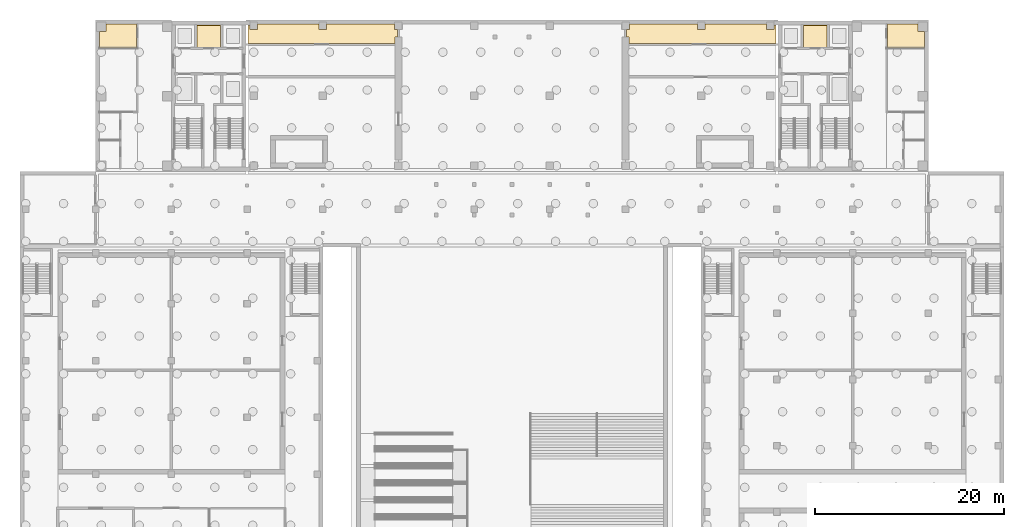
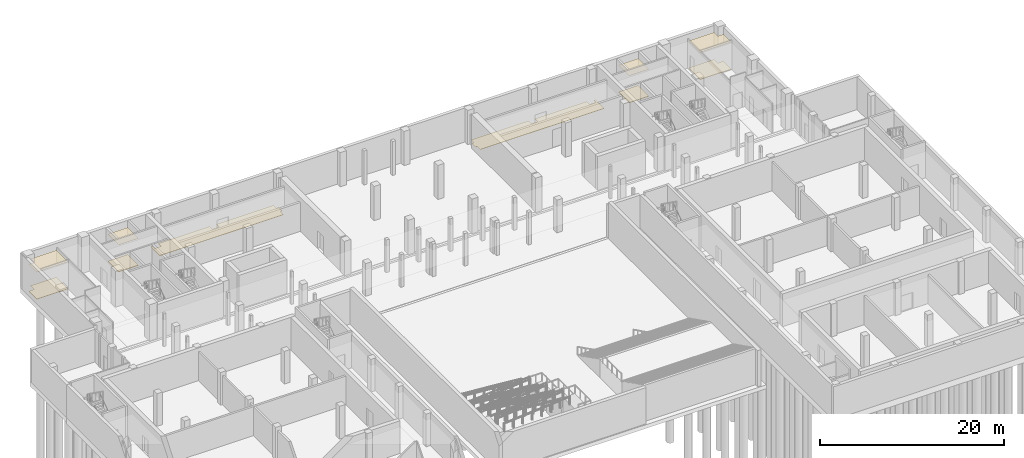
# One storey, part 20 of 21: 10 coverings.
"""IFC4 building model written with IfcOpenShell, lengths in metres."""

import ifcopenshell
import ifcopenshell.guid

model = None  # the IFC model being written
_history = None  # IfcOwnerHistory: only IFC2X3 demands one
_inside = {}  # id of a spatial element -> (the spatial element, [elements in it])
_under = {}  # id of a project, library or spatial element -> (it, [spatial elements below it])
_declared = {}  # id of a project -> (the project, [libraries it declares])
_typed = {}  # id of a type object -> (the type object, [elements of that type])
_made_of = {}  # id of a material, layer set ... -> (it, [elements and type objects made of it])


def new_model(schema):
    """Start an empty IFC model of exactly this schema.

    Asked for "IFC4X3", IfcOpenShell would pick the latest addendum, in which some entities
    have other attributes; the version numbers below select the first issue.
    IFC2X3 requires an IfcOwnerHistory on every rooted entity: one is made here for all.
    """
    global model, _history
    if schema == "IFC4X3":
        model = ifcopenshell.file(schema_version=(4, 3, 0, 0))
    else:
        model = ifcopenshell.file(schema=schema)
    _inside.clear()
    _under.clear()
    _declared.clear()
    _typed.clear()
    _made_of.clear()
    _history = None
    if model.schema == "IFC2X3":
        org = make("IfcOrganization", Name="unknown")
        user = make(
            "IfcPersonAndOrganization",
            ThePerson=make("IfcPerson", FamilyName="unknown"),
            TheOrganization=org,
        )
        app = make(
            "IfcApplication",
            ApplicationDeveloper=org,
            Version="unknown",
            ApplicationFullName="unknown",
            ApplicationIdentifier="unknown",
        )
        _history = make(
            "IfcOwnerHistory",
            OwningUser=user,
            OwningApplication=app,
            ChangeAction="ADDED",
            CreationDate=0,
        )
    return model


def make(cls, **values):
    """One entity of the class cls with the attributes given. An attribute that is None is left unset."""
    return model.create_entity(
        cls, **{name: value for name, value in values.items() if value is not None}
    )


def rooted(cls, **values):
    """An entity with a GlobalId (a new one), such as an element, a storey or a relation."""
    return make(cls, GlobalId=ifcopenshell.guid.new(), OwnerHistory=_history, **values)


def si_unit(unit_type, name, prefix=None):
    """IfcSIUnit, for example si_unit("LENGTHUNIT", "METRE", prefix="MILLI")."""
    return make("IfcSIUnit", UnitType=unit_type, Prefix=prefix, Name=name)


def assignment(units):
    """IfcUnitAssignment: the units of a project."""
    return None if units is None else make("IfcUnitAssignment", Units=units)


def point(xyz):
    """IfcCartesianPoint."""
    return None if xyz is None else make("IfcCartesianPoint", Coordinates=xyz)


def direction(xyz):
    """IfcDirection."""
    return None if xyz is None else make("IfcDirection", DirectionRatios=xyz)


def frame(location, z_axis=None, x_axis=None):
    """IfcAxis2Placement3D, a coordinate frame: its origin and axes. An axis left out is left unset."""
    return make(
        "IfcAxis2Placement3D",
        Location=point(location),
        Axis=direction(z_axis),
        RefDirection=direction(x_axis),
    )


def origin():
    """The frame at (0, 0, 0) with its axes left unset."""
    return frame((0.0, 0.0, 0.0))


def place(relative_to, where):
    """IfcLocalPlacement: puts the frame where relative to a parent placement (None: the world)."""
    return make(
        "IfcLocalPlacement", PlacementRelTo=relative_to, RelativePlacement=where
    )


def context(
    kind, dimensions, precision=None, world=None, true_north=None, identifier=None
):
    """IfcGeometricRepresentationContext, for example the 3D "Model" context."""
    return make(
        "IfcGeometricRepresentationContext",
        ContextIdentifier=identifier,
        ContextType=kind,
        CoordinateSpaceDimension=dimensions,
        Precision=precision,
        WorldCoordinateSystem=world,
        TrueNorth=true_north,
    )


def subcontext(parent, identifier, kind, view, scale=None):
    """IfcGeometricRepresentationSubContext, for example "Body" below "Model"."""
    return make(
        "IfcGeometricRepresentationSubContext",
        ContextIdentifier=identifier,
        ContextType=kind,
        ParentContext=parent,
        TargetScale=scale,
        TargetView=view,
    )


def project(units=None, contexts=None):
    """IfcProject with its units and contexts."""
    return rooted(
        "IfcProject",
        Name="project",
        RepresentationContexts=contexts,
        UnitsInContext=assignment(units),
    )


def spatial(cls, under=None, at=None, **own):
    """A site, building, storey or space (cls), placed at a placement, below another one or the project."""
    s = rooted(cls, ObjectPlacement=at, **own)
    if under is not None:
        _under.setdefault(under.id(), (under, []))[1].append(s)
    return s


def polyline(points):
    """IfcPolyline through the points."""
    return make("IfcPolyline", Points=[point(p) for p in points])


def outline(outer, holes=None, kind="AREA"):
    """IfcArbitraryClosedProfileDef: a profile drawn as a closed curve; with holes, ...WithVoids."""
    if holes is None:
        return make("IfcArbitraryClosedProfileDef", ProfileType=kind, OuterCurve=outer)
    return make(
        "IfcArbitraryProfileDefWithVoids",
        ProfileType=kind,
        OuterCurve=outer,
        InnerCurves=holes,
    )


def extrude(swept, where, along, depth):
    """IfcExtrudedAreaSolid: the profile swept, set in the frame where, extruded along a direction by depth."""
    return make(
        "IfcExtrudedAreaSolid",
        SweptArea=swept,
        Position=where,
        ExtrudedDirection=direction(along),
        Depth=depth,
    )


def shape(context_of_items, identifier, shape_type, items):
    """IfcShapeRepresentation: the items that make up one representation, for example the "Body"."""
    return make(
        "IfcShapeRepresentation",
        ContextOfItems=context_of_items,
        RepresentationIdentifier=identifier,
        RepresentationType=shape_type,
        Items=items,
    )


def material(Name=None, Category=None):
    """IfcMaterial."""
    return make("IfcMaterial", Name=Name, Category=Category)


def layer(
    of_material, thickness, ventilated=None, Name=None, Category=None, Priority=None
):
    """IfcMaterialLayer: one layer of a wall or slab, of a material (None: an air gap)."""
    return make(
        "IfcMaterialLayer",
        Material=of_material,
        LayerThickness=thickness,
        IsVentilated=ventilated,
        Name=Name,
        Category=Category,
        Priority=Priority,
    )


def layer_set(layers, Name=None):
    """IfcMaterialLayerSet."""
    return make("IfcMaterialLayerSet", MaterialLayers=layers, LayerSetName=Name)


def made_of(thing, what):
    """Note that an element or type object is made of a material, layer set ...; save() writes the relation."""
    if what is not None:
        _made_of.setdefault(what.id(), (what, []))[1].append(thing)
    return thing


def type_object(cls, material=None, **own):
    """A type object (cls), such as IfcWallType, which elements share."""
    return made_of(rooted(cls, **own), material)


def element(
    cls,
    number,
    at=None,
    inside=None,
    cuts=None,
    type_object=None,
    material=None,
    context=None,
    identifier="Body",
    shape_type=None,
    held_by="IfcProductDefinitionShape",
    body=None,
    shapes=None,
    **own,
):
    """One element of the class cls, such as IfcWall. Its Tag is "e" and its number.

    at: its placement. inside: the storey or other place that contains it. cuts: it is an
    opening in that element (IfcRelVoidsElement). A single representation is given by context,
    identifier, shape_type and body (its items); several are given by shapes. held_by: the class
    of the entity that holds the representations. save() writes the other relations.
    """
    e = rooted(cls, Tag="e%d" % number, ObjectPlacement=at, **own)
    if body is not None:
        shapes = [shape(context, identifier, shape_type, body)]
    if shapes is not None:
        e.Representation = make(held_by, Representations=shapes)
    if inside is not None:
        _inside.setdefault(inside.id(), (inside, []))[1].append(e)
    if cuts is not None:
        rooted(
            "IfcRelVoidsElement", RelatingBuildingElement=cuts, RelatedOpeningElement=e
        )
    if type_object is not None:
        _typed.setdefault(type_object.id(), (type_object, []))[1].append(e)
    return made_of(e, material)


def aggregate(whole, parts):
    """IfcRelAggregates: a whole, such as a stair, and the parts it consists of."""
    return rooted("IfcRelAggregates", RelatingObject=whole, RelatedObjects=parts)


def save(model, path):
    """Write the relations noted so far, then the file.

    IfcRelAggregates (storeys below a building ...), IfcRelContainedInSpatialStructure (elements
    in a storey), IfcRelDefinesByType, IfcRelAssociatesMaterial and IfcRelDeclares: one each for
    every whole, place, type object, material and project.
    """
    for whole, parts in _under.values():
        aggregate(whole, parts)
    for where, things in _inside.values():
        rooted(
            "IfcRelContainedInSpatialStructure",
            RelatedElements=things,
            RelatingStructure=where,
        )
    for kind, things in _typed.values():
        rooted("IfcRelDefinesByType", RelatedObjects=things, RelatingType=kind)
    for what, things in _made_of.values():
        rooted("IfcRelAssociatesMaterial", RelatedObjects=things, RelatingMaterial=what)
    for by, libraries in _declared.values():
        rooted("IfcRelDeclares", RelatingContext=by, RelatedDefinitions=libraries)
    model.write(path)


model = new_model("IFC4")

# Units and contexts
model_context = context("Model", 3, precision=1e-05, world=origin(), true_north=direction((0.0, 1.0)))
body_context = subcontext(model_context, "Body", "Model", "MODEL_VIEW")
ifc_project = project(units=[si_unit("LENGTHUNIT", "METRE"), si_unit("AREAUNIT", "SQUARE_METRE"), si_unit("VOLUMEUNIT", "CUBIC_METRE"), si_unit("PLANEANGLEUNIT", "RADIAN"), si_unit("MASSUNIT", "GRAM", prefix="KILO")], contexts=[model_context])

# Site, building, storey
site_placement = place(None, origin())
site = spatial("IfcSite", under=ifc_project, at=site_placement, CompositionType="ELEMENT")
building_placement = place(site_placement, origin())
building = spatial("IfcBuilding", under=site, at=building_placement, Name="Lantern Court Media Centre", CompositionType="ELEMENT")
storey_placement = place(building_placement, frame((0.0, 0.0, -4.800048828125)))
storey = spatial("IfcBuildingStorey", under=building, at=storey_placement, Name="B1", CompositionType="ELEMENT", Elevation=-4.800048828125)

# Coverings
ifc_material_1 = material(Name="Carpet")
ifc_layer_1 = layer(ifc_material_1, 0.050048828125)
ifc_layer_set_1 = layer_set([ifc_layer_1], Name="Carpet")
covering_type_1 = type_object("IfcCoveringType", Name="Carpet floor finish", PredefinedType="FLOORING", material=ifc_layer_set_1)
covering_1_placement = place(storey_placement, origin())
element("IfcCovering", 1, at=covering_1_placement, inside=storey, type_object=covering_type_1, Name="Switchroom floor finish", PredefinedType="FLOORING", context=body_context, shape_type="SweptSolid", body=[
    extrude(outline(polyline([(8.405029296875, 62.794921875), (9.103759765625, 62.796875), (9.10498046875, 63.594970703125), (12.33251953125, 63.594970703125), (12.33251953125, 61.06591796875), (8.405029296875, 61.06591796875), (8.405029296875, 62.794921875)])), origin(), (0.0, 0.0, 1.0), 0.050048828125),
])
covering_2_placement = place(storey_placement, origin())
element("IfcCovering", 2, at=covering_2_placement, inside=storey, type_object=covering_type_1, Name="Switchroom floor finish", PredefinedType="FLOORING", context=body_context, shape_type="SweptSolid", body=[
    extrude(outline(polyline([(91.66748046875, 61.06591796875), (91.66748046875, 63.594970703125), (94.89501953125, 63.594970703125), (94.896240234375, 62.796875), (95.594970703125, 62.794921875), (95.594970703125, 61.06591796875), (91.66748046875, 61.06591796875)])), origin(), (0.0, 0.0, 1.0), 0.050048828125),
])
covering_3_placement = place(storey_placement, origin())
element("IfcCovering", 3, at=covering_3_placement, inside=storey, type_object=covering_type_1, Name="Archive Air Handling Room floor finish", PredefinedType="FLOORING", context=body_context, shape_type="SweptSolid", body=[
    extrude(outline(polyline([(24.10009765625, 63.445068359375), (24.294921875, 63.445068359375), (24.298095703125, 62.995361328125), (25.10009765625, 62.9951171875), (25.10498046875, 63.594970703125), (31.594970703125, 63.594970703125), (31.596923828125, 62.99609375), (32.39990234375, 62.9951171875), (32.405029296875, 63.594970703125), (39.594970703125, 63.594970703125), (39.595458984375, 62.998046875), (39.875, 62.9951171875), (39.875, 62.205078125), (39.645263671875, 62.201416015625), (39.64501953125, 61.52490234375), (24.10009765625, 61.52490234375), (24.10009765625, 63.445068359375)])), origin(), (0.0, 0.0, 1.0), 0.050048828125),
])
covering_4_placement = place(storey_placement, origin())
element("IfcCovering", 4, at=covering_4_placement, inside=storey, type_object=covering_type_1, Name="Archive Air Handling Room floor finish", PredefinedType="FLOORING", context=body_context, shape_type="SweptSolid", body=[
    extrude(outline(polyline([(79.89990234375, 61.52490234375), (64.35498046875, 61.52490234375), (64.354736328125, 62.201416015625), (64.125, 62.205078125), (64.125, 62.9951171875), (64.404541015625, 62.998046875), (64.405029296875, 63.594970703125), (71.594970703125, 63.594970703125), (71.60009765625, 62.9951171875), (72.403076171875, 62.99609375), (72.405029296875, 63.594970703125), (78.89501953125, 63.594970703125), (78.89892578125, 62.9951171875), (79.701904296875, 62.995361328125), (79.705078125, 63.445068359375), (79.89990234375, 63.445068359375), (79.89990234375, 61.52490234375)])), origin(), (0.0, 0.0, 1.0), 0.050048828125),
])
ifc_material_2 = material(Name="Ceramic tile")
ifc_layer_2 = layer(ifc_material_2, 0.050048828125)
ifc_layer_set_2 = layer_set([ifc_layer_2], Name="Ceramic tile")
covering_type_2 = type_object("IfcCoveringType", Name="Ceramic tile floor finish", PredefinedType="FLOORING", material=ifc_layer_set_2)
covering_5_placement = place(storey_placement, origin())
element("IfcCovering", 5, at=covering_5_placement, inside=storey, type_object=covering_type_2, Name="Accessible WC floor finish", PredefinedType="FLOORING", context=body_context, shape_type="SweptSolid", body=[
    extrude(outline(polyline([(21.195068359375, 61.10498046875), (18.705078125, 61.10498046875), (18.705078125, 63.445068359375), (21.195068359375, 63.445068359375), (21.195068359375, 61.10498046875)])), origin(), (0.0, 0.0, 1.0), 0.050048828125),
])
covering_6_placement = place(storey_placement, origin())
element("IfcCovering", 6, at=covering_6_placement, inside=storey, type_object=covering_type_2, Name="Accessible WC floor finish", PredefinedType="FLOORING", context=body_context, shape_type="SweptSolid", body=[
    extrude(outline(polyline([(85.294921875, 61.10498046875), (82.804931640625, 61.10498046875), (82.804931640625, 63.445068359375), (85.294921875, 63.445068359375), (85.294921875, 61.10498046875)])), origin(), (0.0, 0.0, 1.0), 0.050048828125),
])
ifc_material_3 = material(Name="Mineral fibre ceiling tile")
ifc_layer_3 = layer(ifc_material_3, 0.02001953125)
ifc_layer_set_3 = layer_set([ifc_layer_3], Name="Mineral fibre ceiling tile")
covering_type_3 = type_object("IfcCoveringType", Name="Suspended ceiling tile", PredefinedType="CEILING", material=ifc_layer_set_3)
covering_7_placement = place(storey_placement, frame((0.0, 0.0, 3.60009765625)))
element("IfcCovering", 7, at=covering_7_placement, inside=storey, type_object=covering_type_3, Name="Accessible WC ceiling", PredefinedType="CEILING", context=body_context, shape_type="SweptSolid", body=[
    extrude(outline(polyline([(21.199462890625, 61.1005859375), (18.700439453125, 61.1005859375), (18.700439453125, 63.449462890625), (21.199462890625, 63.449462890625), (21.199462890625, 61.1005859375)])), origin(), (0.0, 0.0, 1.0), 0.02001953125),
])
covering_8_placement = place(storey_placement, frame((0.0, 0.0, 3.60009765625)))
element("IfcCovering", 8, at=covering_8_placement, inside=storey, type_object=covering_type_3, Name="Accessible WC ceiling", PredefinedType="CEILING", context=body_context, shape_type="SweptSolid", body=[
    extrude(outline(polyline([(85.299560546875, 61.1005859375), (82.800537109375, 61.1005859375), (82.800537109375, 63.449462890625), (85.299560546875, 63.449462890625), (85.299560546875, 61.1005859375)])), origin(), (0.0, 0.0, 1.0), 0.02001953125),
])
covering_9_placement = place(storey_placement, frame((0.0, 0.0, 3.60009765625)))
element("IfcCovering", 9, at=covering_9_placement, inside=storey, type_object=covering_type_3, Name="Switchroom ceiling", PredefinedType="CEILING", context=body_context, shape_type="SweptSolid", body=[
    extrude(outline(polyline([(8.400390625, 62.799560546875), (9.100341796875, 62.799560546875), (9.1005859375, 63.599609375), (12.3369140625, 63.599609375), (12.3369140625, 61.0615234375), (8.400390625, 61.0615234375), (8.400390625, 62.799560546875)])), origin(), (0.0, 0.0, 1.0), 0.02001953125),
])
covering_10_placement = place(storey_placement, frame((0.0, 0.0, 3.60009765625)))
element("IfcCovering", 10, at=covering_10_placement, inside=storey, type_object=covering_type_3, Name="Switchroom ceiling", PredefinedType="CEILING", context=body_context, shape_type="SweptSolid", body=[
    extrude(outline(polyline([(95.595458984375, 61.010986328125), (95.594970703125, 61.0615234375), (91.6630859375, 61.0615234375), (91.6630859375, 63.599609375), (94.8994140625, 63.599609375), (94.899658203125, 62.799560546875), (95.599609375, 62.799560546875), (95.595458984375, 61.010986328125)])), origin(), (0.0, 0.0, 1.0), 0.02001953125),
])

save(model, "model.ifc")
